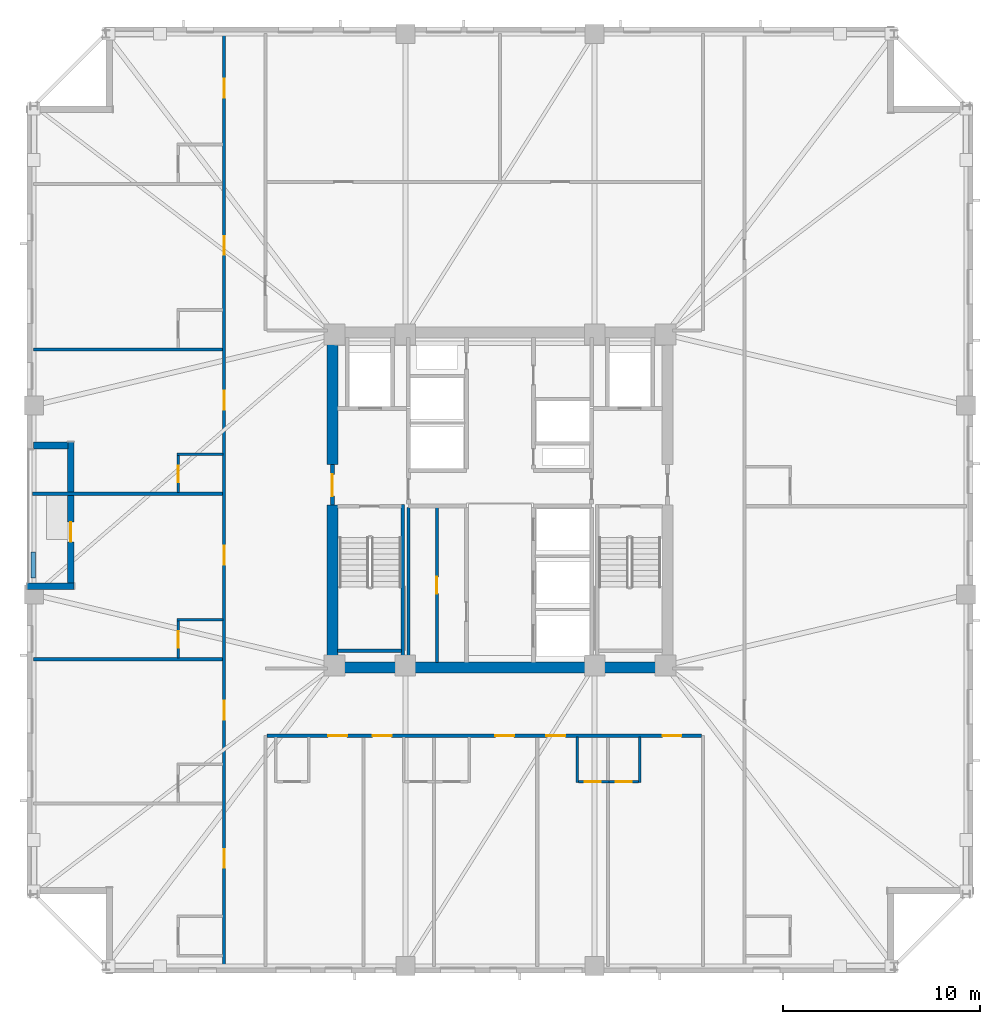
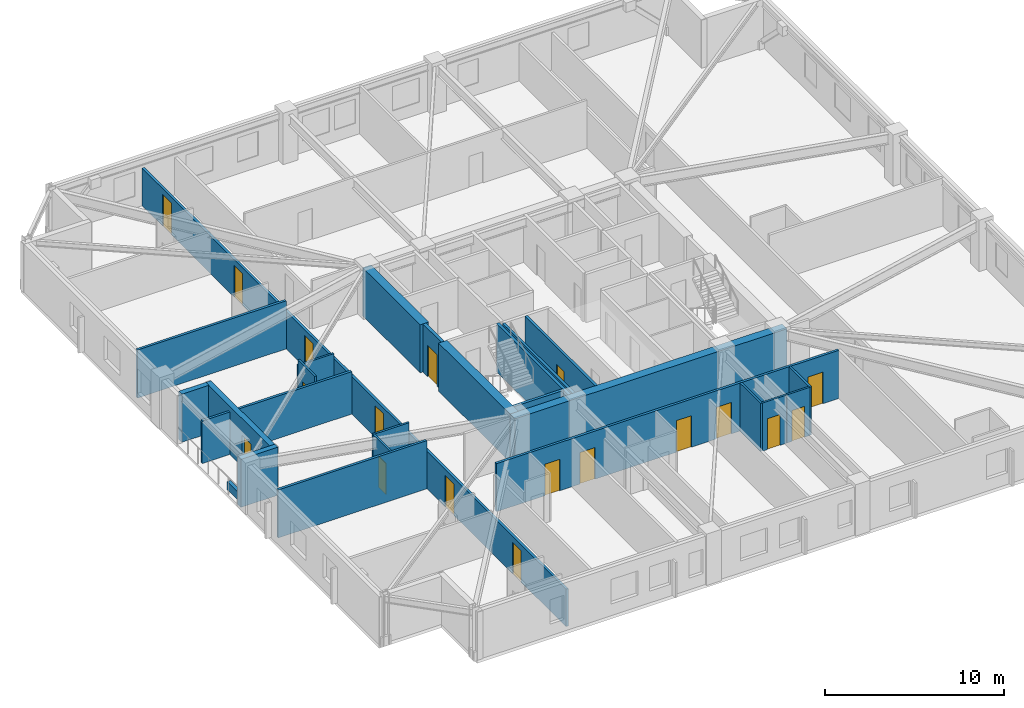
# One storey, part 3 of 11: 25 walls, 18 doors, 18 openings.
"""IFC4 building model written with IfcOpenShell, lengths in metres."""

import ifcopenshell
import ifcopenshell.guid

model = None  # the IFC model being written
_history = None  # IfcOwnerHistory: only IFC2X3 demands one
_inside = {}  # id of a spatial element -> (the spatial element, [elements in it])
_under = {}  # id of a project, library or spatial element -> (it, [spatial elements below it])
_declared = {}  # id of a project -> (the project, [libraries it declares])
_typed = {}  # id of a type object -> (the type object, [elements of that type])
_made_of = {}  # id of a material, layer set ... -> (it, [elements and type objects made of it])


def new_model(schema):
    """Start an empty IFC model of exactly this schema.

    Asked for "IFC4X3", IfcOpenShell would pick the latest addendum, in which some entities
    have other attributes; the version numbers below select the first issue.
    IFC2X3 requires an IfcOwnerHistory on every rooted entity: one is made here for all.
    """
    global model, _history
    if schema == "IFC4X3":
        model = ifcopenshell.file(schema_version=(4, 3, 0, 0))
    else:
        model = ifcopenshell.file(schema=schema)
    _inside.clear()
    _under.clear()
    _declared.clear()
    _typed.clear()
    _made_of.clear()
    _history = None
    if model.schema == "IFC2X3":
        org = make("IfcOrganization", Name="unknown")
        user = make(
            "IfcPersonAndOrganization",
            ThePerson=make("IfcPerson", FamilyName="unknown"),
            TheOrganization=org,
        )
        app = make(
            "IfcApplication",
            ApplicationDeveloper=org,
            Version="unknown",
            ApplicationFullName="unknown",
            ApplicationIdentifier="unknown",
        )
        _history = make(
            "IfcOwnerHistory",
            OwningUser=user,
            OwningApplication=app,
            ChangeAction="ADDED",
            CreationDate=0,
        )
    return model


def make(cls, **values):
    """One entity of the class cls with the attributes given. An attribute that is None is left unset."""
    return model.create_entity(
        cls, **{name: value for name, value in values.items() if value is not None}
    )


def rooted(cls, **values):
    """An entity with a GlobalId (a new one), such as an element, a storey or a relation."""
    return make(cls, GlobalId=ifcopenshell.guid.new(), OwnerHistory=_history, **values)


def si_unit(unit_type, name, prefix=None):
    """IfcSIUnit, for example si_unit("LENGTHUNIT", "METRE", prefix="MILLI")."""
    return make("IfcSIUnit", UnitType=unit_type, Prefix=prefix, Name=name)


def assignment(units):
    """IfcUnitAssignment: the units of a project."""
    return None if units is None else make("IfcUnitAssignment", Units=units)


def point(xyz):
    """IfcCartesianPoint."""
    return None if xyz is None else make("IfcCartesianPoint", Coordinates=xyz)


def direction(xyz):
    """IfcDirection."""
    return None if xyz is None else make("IfcDirection", DirectionRatios=xyz)


def frame(location, z_axis=None, x_axis=None):
    """IfcAxis2Placement3D, a coordinate frame: its origin and axes. An axis left out is left unset."""
    return make(
        "IfcAxis2Placement3D",
        Location=point(location),
        Axis=direction(z_axis),
        RefDirection=direction(x_axis),
    )


def frame_2d(location, x_axis=None):
    """IfcAxis2Placement2D, a coordinate frame in the plane: its origin and x axis."""
    return make(
        "IfcAxis2Placement2D", Location=point(location), RefDirection=direction(x_axis)
    )


def origin():
    """The frame at (0, 0, 0) with its axes left unset."""
    return frame((0.0, 0.0, 0.0))


def place(relative_to, where):
    """IfcLocalPlacement: puts the frame where relative to a parent placement (None: the world)."""
    return make(
        "IfcLocalPlacement", PlacementRelTo=relative_to, RelativePlacement=where
    )


def context(
    kind, dimensions, precision=None, world=None, true_north=None, identifier=None
):
    """IfcGeometricRepresentationContext, for example the 3D "Model" context."""
    return make(
        "IfcGeometricRepresentationContext",
        ContextIdentifier=identifier,
        ContextType=kind,
        CoordinateSpaceDimension=dimensions,
        Precision=precision,
        WorldCoordinateSystem=world,
        TrueNorth=true_north,
    )


def subcontext(parent, identifier, kind, view, scale=None):
    """IfcGeometricRepresentationSubContext, for example "Body" below "Model"."""
    return make(
        "IfcGeometricRepresentationSubContext",
        ContextIdentifier=identifier,
        ContextType=kind,
        ParentContext=parent,
        TargetScale=scale,
        TargetView=view,
    )


def project(units=None, contexts=None):
    """IfcProject with its units and contexts."""
    return rooted(
        "IfcProject",
        Name="project",
        RepresentationContexts=contexts,
        UnitsInContext=assignment(units),
    )


def spatial(cls, under=None, at=None, **own):
    """A site, building, storey or space (cls), placed at a placement, below another one or the project."""
    s = rooted(cls, ObjectPlacement=at, **own)
    if under is not None:
        _under.setdefault(under.id(), (under, []))[1].append(s)
    return s


def profile(cls, at=None, kind="AREA", **sizes):
    """A parametric profile (cls). Its sizes go by their IFC names, for example OverallWidth=200.0."""
    return make(cls, ProfileType=kind, Position=at, **sizes)


def rectangle(**sizes):
    """IfcRectangleProfileDef."""
    return profile("IfcRectangleProfileDef", **sizes)


def extrude(swept, where, along, depth):
    """IfcExtrudedAreaSolid: the profile swept, set in the frame where, extruded along a direction by depth."""
    return make(
        "IfcExtrudedAreaSolid",
        SweptArea=swept,
        Position=where,
        ExtrudedDirection=direction(along),
        Depth=depth,
    )


def shape(context_of_items, identifier, shape_type, items):
    """IfcShapeRepresentation: the items that make up one representation, for example the "Body"."""
    return make(
        "IfcShapeRepresentation",
        ContextOfItems=context_of_items,
        RepresentationIdentifier=identifier,
        RepresentationType=shape_type,
        Items=items,
    )


def material(Name=None, Category=None):
    """IfcMaterial."""
    return make("IfcMaterial", Name=Name, Category=Category)


def layer(
    of_material, thickness, ventilated=None, Name=None, Category=None, Priority=None
):
    """IfcMaterialLayer: one layer of a wall or slab, of a material (None: an air gap)."""
    return make(
        "IfcMaterialLayer",
        Material=of_material,
        LayerThickness=thickness,
        IsVentilated=ventilated,
        Name=Name,
        Category=Category,
        Priority=Priority,
    )


def layer_set(layers, Name=None):
    """IfcMaterialLayerSet."""
    return make("IfcMaterialLayerSet", MaterialLayers=layers, LayerSetName=Name)


def made_of(thing, what):
    """Note that an element or type object is made of a material, layer set ...; save() writes the relation."""
    if what is not None:
        _made_of.setdefault(what.id(), (what, []))[1].append(thing)
    return thing


def type_object(cls, material=None, **own):
    """A type object (cls), such as IfcWallType, which elements share."""
    return made_of(rooted(cls, **own), material)


def element(
    cls,
    number,
    at=None,
    inside=None,
    cuts=None,
    type_object=None,
    material=None,
    context=None,
    identifier="Body",
    shape_type=None,
    held_by="IfcProductDefinitionShape",
    body=None,
    shapes=None,
    **own,
):
    """One element of the class cls, such as IfcWall. Its Tag is "e" and its number.

    at: its placement. inside: the storey or other place that contains it. cuts: it is an
    opening in that element (IfcRelVoidsElement). A single representation is given by context,
    identifier, shape_type and body (its items); several are given by shapes. held_by: the class
    of the entity that holds the representations. save() writes the other relations.
    """
    e = rooted(cls, Tag="e%d" % number, ObjectPlacement=at, **own)
    if body is not None:
        shapes = [shape(context, identifier, shape_type, body)]
    if shapes is not None:
        e.Representation = make(held_by, Representations=shapes)
    if inside is not None:
        _inside.setdefault(inside.id(), (inside, []))[1].append(e)
    if cuts is not None:
        rooted(
            "IfcRelVoidsElement", RelatingBuildingElement=cuts, RelatedOpeningElement=e
        )
    if type_object is not None:
        _typed.setdefault(type_object.id(), (type_object, []))[1].append(e)
    return made_of(e, material)


def fill(opening, filler):
    """IfcRelFillsElement: the door or window that sits in an opening."""
    return rooted(
        "IfcRelFillsElement",
        RelatingOpeningElement=opening,
        RelatedBuildingElement=filler,
    )


def aggregate(whole, parts):
    """IfcRelAggregates: a whole, such as a stair, and the parts it consists of."""
    return rooted("IfcRelAggregates", RelatingObject=whole, RelatedObjects=parts)


def save(model, path):
    """Write the relations noted so far, then the file.

    IfcRelAggregates (storeys below a building ...), IfcRelContainedInSpatialStructure (elements
    in a storey), IfcRelDefinesByType, IfcRelAssociatesMaterial and IfcRelDeclares: one each for
    every whole, place, type object, material and project.
    """
    for whole, parts in _under.values():
        aggregate(whole, parts)
    for where, things in _inside.values():
        rooted(
            "IfcRelContainedInSpatialStructure",
            RelatedElements=things,
            RelatingStructure=where,
        )
    for kind, things in _typed.values():
        rooted("IfcRelDefinesByType", RelatedObjects=things, RelatingType=kind)
    for what, things in _made_of.values():
        rooted("IfcRelAssociatesMaterial", RelatedObjects=things, RelatingMaterial=what)
    for by, libraries in _declared.values():
        rooted("IfcRelDeclares", RelatingContext=by, RelatedDefinitions=libraries)
    model.write(path)


model = new_model("IFC4")

# Units and contexts
model_context = context("Model", 3, precision=1e-05, world=origin(), true_north=direction((0.0, 1.0)))
body_context = subcontext(model_context, "Body", "Model", "MODEL_VIEW")
ifc_project = project(units=[si_unit("LENGTHUNIT", "METRE"), si_unit("AREAUNIT", "SQUARE_METRE"), si_unit("VOLUMEUNIT", "CUBIC_METRE"), si_unit("PLANEANGLEUNIT", "RADIAN"), si_unit("MASSUNIT", "GRAM", prefix="KILO")], contexts=[model_context])

# Site, building, storey
site_placement = place(None, origin())
site = spatial("IfcSite", under=ifc_project, at=site_placement, CompositionType="ELEMENT")
building_placement = place(site_placement, origin())
building = spatial("IfcBuilding", under=site, at=building_placement, Name="Cairnveth Concourse Tower", CompositionType="ELEMENT")
storey_placement = place(building_placement, frame((0.0, 0.0, 120.0)))
storey = spatial("IfcBuildingStorey", under=building, at=storey_placement, Name="L32", CompositionType="ELEMENT", Elevation=120.0)

# Wall
ifc_material_1 = material(Name="Gypsum Plasterboard Partition", Category="gypsum")
ifc_layer_1 = layer(ifc_material_1, 0.159912109375)
ifc_layer_set_1 = layer_set([ifc_layer_1], Name="Gypsum Plasterboard Partition")
wall_type_1 = type_object("IfcWallType", Name="ACOUSTIC PARTY WALL 180", PredefinedType="PARTITIONING", material=ifc_layer_set_1)
wall_1_placement = place(storey_placement, frame((47.35009765625, 30.760009765625, 0.0), z_axis=(0.0, 0.0, 1.0), x_axis=(0.0, 1.0, 0.0)))
element("IfcWall", 1, at=wall_1_placement, inside=storey, type_object=wall_type_1, Name="Interior Wall IW-L32-025", PredefinedType="PARTITIONING", context=body_context, shape_type="SweptSolid", body=[
    extrude(rectangle(XDim=7.85498046875, YDim=0.159912109375, at=frame_2d((3.927490234375, 0.0))), origin(), (0.0, 0.0, 1.0), 3.280029296875),
])

# Wall, opening, door
wall_2_placement = place(storey_placement, frame((48.800048828125, 30.760009765625, 0.0), z_axis=(0.0, 0.0, 1.0), x_axis=(0.0, 1.0, 0.0)))
wall_2 = element("IfcWall", 2, at=wall_2_placement, inside=storey, type_object=wall_type_1, Name="Interior Wall IW-L32-026", PredefinedType="PARTITIONING", context=body_context, shape_type="SweptSolid", body=[
    extrude(rectangle(XDim=7.85498046875, YDim=0.159912109375, at=frame_2d((3.927490234375, 0.0))), origin(), (0.0, 0.0, 1.0), 3.280029296875),
])
opening_1_placement = place(wall_2_placement, frame((3.489990234375, 0.0, 0.0)))
opening_1 = element("IfcOpeningElement", 3, at=opening_1_placement, cuts=wall_2, Name="Opening ID19", PredefinedType="OPENING", context=body_context, shape_type="SweptSolid", body=[
    extrude(rectangle(XDim=0.85009765625, YDim=2.1201171875, at=frame_2d((0.425048828125, 1.06005859375))), frame((0.0, 0.08984375, 0.0), z_axis=(0.0, -1.0, 0.0), x_axis=(1.0, 0.0, 0.0)), (0.0, 0.0, 1.0), 0.179931640625),
])
ifc_material_2 = material(Name="Steel Grade 350", Category="steel")
door_type_1 = type_object("IfcDoorType", Name="CORE SERVICE DOOR 850X2100", OperationType="NOTDEFINED", PredefinedType="DOOR", material=ifc_material_2)
door_1_placement = place(opening_1_placement, origin())
door_1 = element("IfcDoor", 4, at=door_1_placement, inside=storey, type_object=door_type_1, Name="Inner Store Door L32", OperationType="SINGLE_SWING_RIGHT", OverallHeight=2.1201171875, OverallWidth=0.85009765625, PredefinedType="DOOR", context=body_context, shape_type="SweptSolid", body=[
    extrude(rectangle(XDim=0.85009765625, YDim=2.1201171875, at=frame_2d((0.425048828125, 1.06005859375))), frame((0.0, 0.02490234375, 0.0), z_axis=(0.0, -1.0, 0.0), x_axis=(1.0, 0.0, 0.0)), (0.0, 0.0, 1.0), 0.050048828125),
])
fill(opening_1, door_1)

# Wall, openings, doors
wall_3_placement = place(storey_placement, frame((38.0, 15.324951171875, 0.0), z_axis=(0.0, 0.0, 1.0), x_axis=(0.0, 1.0, 0.0)))
wall_3 = element("IfcWall", 5, at=wall_3_placement, inside=storey, type_object=wall_type_1, Name="Interior Wall IW-L32-036", PredefinedType="PARTITIONING", context=body_context, shape_type="SweptSolid", body=[
    extrude(rectangle(XDim=47.35009765625, YDim=0.159912109375, at=frame_2d((23.675048828125, 0.0))), origin(), (0.0, 0.0, 1.0), 2.554931640625),
])
opening_2_placement = place(wall_3_placement, frame((5.00341796875, 0.0, 0.0)))
opening_2 = element("IfcOpeningElement", 6, at=opening_2_placement, cuts=wall_3, Name="Opening ID09", PredefinedType="OPENING", context=body_context, shape_type="SweptSolid", body=[
    extrude(rectangle(XDim=0.9599609375, YDim=2.14990234375, at=frame_2d((0.47998046875, 1.074951171875))), frame((0.0, 0.08984375, 0.0), z_axis=(0.0, -1.0, 0.0), x_axis=(1.0, 0.0, 0.0)), (0.0, 0.0, 1.0), 0.179931640625),
])
opening_3_placement = place(wall_3_placement, frame((12.52880859375, 0.0, 0.0)))
opening_3 = element("IfcOpeningElement", 7, at=opening_3_placement, cuts=wall_3, Name="Opening ID09", PredefinedType="OPENING", context=body_context, shape_type="SweptSolid", body=[
    extrude(rectangle(XDim=0.9599609375, YDim=2.14990234375, at=frame_2d((0.47998046875, 1.074951171875))), frame((0.0, 0.08984375, 0.0), z_axis=(0.0, -1.0, 0.0), x_axis=(1.0, 0.0, 0.0)), (0.0, 0.0, 1.0), 0.179931640625),
])
opening_4_placement = place(wall_3_placement, frame((20.388671875, 0.0, 0.0)))
opening_4 = element("IfcOpeningElement", 8, at=opening_4_placement, cuts=wall_3, Name="Opening ID09", PredefinedType="OPENING", context=body_context, shape_type="SweptSolid", body=[
    extrude(rectangle(XDim=0.9599609375, YDim=2.14990234375, at=frame_2d((0.47998046875, 1.074951171875))), frame((0.0, 0.08984375, 0.0), z_axis=(0.0, -1.0, 0.0), x_axis=(1.0, 0.0, 0.0)), (0.0, 0.0, 1.0), 0.179931640625),
])
opening_5_placement = place(wall_3_placement, frame((28.248779296875, 0.0, 0.0)))
opening_5 = element("IfcOpeningElement", 9, at=opening_5_placement, cuts=wall_3, Name="Opening ID09", PredefinedType="OPENING", context=body_context, shape_type="SweptSolid", body=[
    extrude(rectangle(XDim=0.9599609375, YDim=2.14990234375, at=frame_2d((0.47998046875, 1.074951171875))), frame((0.0, 0.08984375, 0.0), z_axis=(0.0, -1.0, 0.0), x_axis=(1.0, 0.0, 0.0)), (0.0, 0.0, 1.0), 0.179931640625),
])
opening_6_placement = place(wall_3_placement, frame((36.10888671875, 0.0, 0.0)))
opening_6 = element("IfcOpeningElement", 10, at=opening_6_placement, cuts=wall_3, Name="Opening ID09", PredefinedType="OPENING", context=body_context, shape_type="SweptSolid", body=[
    extrude(rectangle(XDim=0.9599609375, YDim=2.14990234375, at=frame_2d((0.47998046875, 1.074951171875))), frame((0.0, 0.08984375, 0.0), z_axis=(0.0, -1.0, 0.0), x_axis=(1.0, 0.0, 0.0)), (0.0, 0.0, 1.0), 0.179931640625),
])
opening_7_placement = place(wall_3_placement, frame((44.07861328125, 0.0, 0.0)))
opening_7 = element("IfcOpeningElement", 11, at=opening_7_placement, cuts=wall_3, Name="Opening ID09", PredefinedType="OPENING", context=body_context, shape_type="SweptSolid", body=[
    extrude(rectangle(XDim=0.9599609375, YDim=2.14990234375, at=frame_2d((0.47998046875, 1.074951171875))), frame((0.0, 0.08984375, 0.0), z_axis=(0.0, -1.0, 0.0), x_axis=(1.0, 0.0, 0.0)), (0.0, 0.0, 1.0), 0.179931640625),
])
ifc_material_3 = material(Name="Solid Core Hardwood Timber Leaf", Category="wood")
door_type_2 = type_object("IfcDoorType", Name="HOTEL ENTRANCE DOOR 960X2150", OperationType="NOTDEFINED", PredefinedType="DOOR", material=ifc_material_3)
door_2_placement = place(opening_2_placement, origin())
door_2 = element("IfcDoor", 12, at=door_2_placement, inside=storey, type_object=door_type_2, Name="Hotel Room Door L32-W1", OperationType="SINGLE_SWING_LEFT", OverallHeight=2.14990234375, OverallWidth=0.9599609375, PredefinedType="DOOR", context=body_context, shape_type="SweptSolid", body=[
    extrude(rectangle(XDim=0.9599609375, YDim=2.14990234375, at=frame_2d((0.47998046875, 1.074951171875))), frame((0.0, 0.02490234375, 0.0), z_axis=(0.0, -1.0, 0.0), x_axis=(1.0, 0.0, 0.0)), (0.0, 0.0, 1.0), 0.050048828125),
])
fill(opening_2, door_2)
door_3_placement = place(opening_3_placement, origin())
door_3 = element("IfcDoor", 13, at=door_3_placement, inside=storey, type_object=door_type_2, Name="Hotel Room Door L32-W2", OperationType="SINGLE_SWING_LEFT", OverallHeight=2.14990234375, OverallWidth=0.9599609375, PredefinedType="DOOR", context=body_context, shape_type="SweptSolid", body=[
    extrude(rectangle(XDim=0.9599609375, YDim=2.14990234375, at=frame_2d((0.47998046875, 1.074951171875))), frame((0.0, 0.02490234375, 0.0), z_axis=(0.0, -1.0, 0.0), x_axis=(1.0, 0.0, 0.0)), (0.0, 0.0, 1.0), 0.050048828125),
])
fill(opening_3, door_3)
door_4_placement = place(opening_4_placement, origin())
door_4 = element("IfcDoor", 14, at=door_4_placement, inside=storey, type_object=door_type_2, Name="Hotel Room Door L32-W3", OperationType="SINGLE_SWING_LEFT", OverallHeight=2.14990234375, OverallWidth=0.9599609375, PredefinedType="DOOR", context=body_context, shape_type="SweptSolid", body=[
    extrude(rectangle(XDim=0.9599609375, YDim=2.14990234375, at=frame_2d((0.47998046875, 1.074951171875))), frame((0.0, 0.02490234375, 0.0), z_axis=(0.0, -1.0, 0.0), x_axis=(1.0, 0.0, 0.0)), (0.0, 0.0, 1.0), 0.050048828125),
])
fill(opening_4, door_4)
door_5_placement = place(opening_5_placement, origin())
door_5 = element("IfcDoor", 15, at=door_5_placement, inside=storey, type_object=door_type_2, Name="Hotel Room Door L32-W4", OperationType="SINGLE_SWING_LEFT", OverallHeight=2.14990234375, OverallWidth=0.9599609375, PredefinedType="DOOR", context=body_context, shape_type="SweptSolid", body=[
    extrude(rectangle(XDim=0.9599609375, YDim=2.14990234375, at=frame_2d((0.47998046875, 1.074951171875))), frame((0.0, 0.02490234375, 0.0), z_axis=(0.0, -1.0, 0.0), x_axis=(1.0, 0.0, 0.0)), (0.0, 0.0, 1.0), 0.050048828125),
])
fill(opening_5, door_5)
door_6_placement = place(opening_6_placement, origin())
door_6 = element("IfcDoor", 16, at=door_6_placement, inside=storey, type_object=door_type_2, Name="Hotel Room Door L32-W5", OperationType="SINGLE_SWING_LEFT", OverallHeight=2.14990234375, OverallWidth=0.9599609375, PredefinedType="DOOR", context=body_context, shape_type="SweptSolid", body=[
    extrude(rectangle(XDim=0.9599609375, YDim=2.14990234375, at=frame_2d((0.47998046875, 1.074951171875))), frame((0.0, 0.02490234375, 0.0), z_axis=(0.0, -1.0, 0.0), x_axis=(1.0, 0.0, 0.0)), (0.0, 0.0, 1.0), 0.050048828125),
])
fill(opening_6, door_6)
door_7_placement = place(opening_7_placement, origin())
door_7 = element("IfcDoor", 17, at=door_7_placement, inside=storey, type_object=door_type_2, Name="Hotel Room Door L32-W6", OperationType="SINGLE_SWING_LEFT", OverallHeight=2.14990234375, OverallWidth=0.9599609375, PredefinedType="DOOR", context=body_context, shape_type="SweptSolid", body=[
    extrude(rectangle(XDim=0.9599609375, YDim=2.14990234375, at=frame_2d((0.47998046875, 1.074951171875))), frame((0.0, 0.02490234375, 0.0), z_axis=(0.0, -1.0, 0.0), x_axis=(1.0, 0.0, 0.0)), (0.0, 0.0, 1.0), 0.050048828125),
])
fill(opening_7, door_7)

wall_4_placement = place(storey_placement, frame((40.1650390625, 27.0400390625, 0.0), z_axis=(0.0, 0.0, 1.0), x_axis=(1.0, 0.0, 0.0)))
wall_4 = element("IfcWall", 18, at=wall_4_placement, inside=storey, type_object=wall_type_1, Name="Interior Wall IW-L32-046", PredefinedType="PARTITIONING", context=body_context, shape_type="SweptSolid", body=[
    extrude(rectangle(XDim=22.070068359375, YDim=0.159912109375, at=frame_2d((11.03515625, 0.0))), origin(), (0.0, 0.0, 1.0), 3.280029296875),
])
opening_8_placement = place(wall_4_placement, frame((3.114990234375, 0.0, 0.0)))
opening_8 = element("IfcOpeningElement", 19, at=opening_8_placement, cuts=wall_4, Name="Opening ID09", PredefinedType="OPENING", context=body_context, shape_type="SweptSolid", body=[
    extrude(rectangle(XDim=0.9599609375, YDim=2.14990234375, at=frame_2d((0.47998046875, 1.074951171875))), frame((0.0, 0.08984375, 0.0), z_axis=(0.0, -1.0, 0.0), x_axis=(1.0, 0.0, 0.0)), (0.0, 0.0, 1.0), 0.179931640625),
])
opening_9_placement = place(wall_4_placement, frame((5.3720703125, 0.0, 0.0)))
opening_9 = element("IfcOpeningElement", 20, at=opening_9_placement, cuts=wall_4, Name="Opening ID09", PredefinedType="OPENING", context=body_context, shape_type="SweptSolid", body=[
    extrude(rectangle(XDim=0.9599609375, YDim=2.14990234375, at=frame_2d((0.47998046875, 1.074951171875))), frame((0.0, 0.08984375, 0.0), z_axis=(0.0, -1.0, 0.0), x_axis=(1.0, 0.0, 0.0)), (0.0, 0.0, 1.0), 0.179931640625),
])
opening_10_placement = place(wall_4_placement, frame((11.594482421875, 0.0, 0.0)))
opening_10 = element("IfcOpeningElement", 21, at=opening_10_placement, cuts=wall_4, Name="Opening ID09", PredefinedType="OPENING", context=body_context, shape_type="SweptSolid", body=[
    extrude(rectangle(XDim=0.9599609375, YDim=2.14990234375, at=frame_2d((0.47998046875, 1.074951171875))), frame((0.0, 0.08984375, 0.0), z_axis=(0.0, -1.0, 0.0), x_axis=(1.0, 0.0, 0.0)), (0.0, 0.0, 1.0), 0.179931640625),
])
opening_11_placement = place(wall_4_placement, frame((14.18798828125, 0.0, 0.0)))
opening_11 = element("IfcOpeningElement", 22, at=opening_11_placement, cuts=wall_4, Name="Opening ID09", PredefinedType="OPENING", context=body_context, shape_type="SweptSolid", body=[
    extrude(rectangle(XDim=0.9599609375, YDim=2.14990234375, at=frame_2d((0.47998046875, 1.074951171875))), frame((0.0, 0.08984375, 0.0), z_axis=(0.0, -1.0, 0.0), x_axis=(1.0, 0.0, 0.0)), (0.0, 0.0, 1.0), 0.179931640625),
])
opening_12_placement = place(wall_4_placement, frame((20.083984375, 0.0, 0.0)))
opening_12 = element("IfcOpeningElement", 23, at=opening_12_placement, cuts=wall_4, Name="Opening ID09", PredefinedType="OPENING", context=body_context, shape_type="SweptSolid", body=[
    extrude(rectangle(XDim=0.9599609375, YDim=2.14990234375, at=frame_2d((0.47998046875, 1.074951171875))), frame((0.0, 0.08984375, 0.0), z_axis=(0.0, -1.0, 0.0), x_axis=(1.0, 0.0, 0.0)), (0.0, 0.0, 1.0), 0.179931640625),
])
door_8_placement = place(opening_8_placement, origin())
door_8 = element("IfcDoor", 24, at=door_8_placement, inside=storey, type_object=door_type_2, Name="Hotel Room Door L32-S1", OperationType="SINGLE_SWING_LEFT", OverallHeight=2.14990234375, OverallWidth=0.9599609375, PredefinedType="DOOR", context=body_context, shape_type="SweptSolid", body=[
    extrude(rectangle(XDim=0.9599609375, YDim=2.14990234375, at=frame_2d((0.47998046875, 1.074951171875))), frame((0.0, 0.02490234375, 0.0), z_axis=(0.0, -1.0, 0.0), x_axis=(1.0, 0.0, 0.0)), (0.0, 0.0, 1.0), 0.050048828125),
])
fill(opening_8, door_8)
door_9_placement = place(opening_9_placement, origin())
door_9 = element("IfcDoor", 25, at=door_9_placement, inside=storey, type_object=door_type_2, Name="Hotel Room Door L32-S2", OperationType="SINGLE_SWING_LEFT", OverallHeight=2.14990234375, OverallWidth=0.9599609375, PredefinedType="DOOR", context=body_context, shape_type="SweptSolid", body=[
    extrude(rectangle(XDim=0.9599609375, YDim=2.14990234375, at=frame_2d((0.47998046875, 1.074951171875))), frame((0.0, 0.02490234375, 0.0), z_axis=(0.0, -1.0, 0.0), x_axis=(1.0, 0.0, 0.0)), (0.0, 0.0, 1.0), 0.050048828125),
])
fill(opening_9, door_9)
door_10_placement = place(opening_10_placement, origin())
door_10 = element("IfcDoor", 26, at=door_10_placement, inside=storey, type_object=door_type_2, Name="Hotel Room Door L32-S3", OperationType="SINGLE_SWING_LEFT", OverallHeight=2.14990234375, OverallWidth=0.9599609375, PredefinedType="DOOR", context=body_context, shape_type="SweptSolid", body=[
    extrude(rectangle(XDim=0.9599609375, YDim=2.14990234375, at=frame_2d((0.47998046875, 1.074951171875))), frame((0.0, 0.02490234375, 0.0), z_axis=(0.0, -1.0, 0.0), x_axis=(1.0, 0.0, 0.0)), (0.0, 0.0, 1.0), 0.050048828125),
])
fill(opening_10, door_10)
door_11_placement = place(opening_11_placement, origin())
door_11 = element("IfcDoor", 27, at=door_11_placement, inside=storey, type_object=door_type_2, Name="Hotel Room Door L32-S4", OperationType="SINGLE_SWING_LEFT", OverallHeight=2.14990234375, OverallWidth=0.9599609375, PredefinedType="DOOR", context=body_context, shape_type="SweptSolid", body=[
    extrude(rectangle(XDim=0.9599609375, YDim=2.14990234375, at=frame_2d((0.47998046875, 1.074951171875))), frame((0.0, 0.02490234375, 0.0), z_axis=(0.0, -1.0, 0.0), x_axis=(1.0, 0.0, 0.0)), (0.0, 0.0, 1.0), 0.050048828125),
])
fill(opening_11, door_11)
door_12_placement = place(opening_12_placement, origin())
door_12 = element("IfcDoor", 28, at=door_12_placement, inside=storey, type_object=door_type_2, Name="Hotel Room Door L32-S5", OperationType="SINGLE_SWING_LEFT", OverallHeight=2.14990234375, OverallWidth=0.9599609375, PredefinedType="DOOR", context=body_context, shape_type="SweptSolid", body=[
    extrude(rectangle(XDim=0.9599609375, YDim=2.14990234375, at=frame_2d((0.47998046875, 1.074951171875))), frame((0.0, 0.02490234375, 0.0), z_axis=(0.0, -1.0, 0.0), x_axis=(1.0, 0.0, 0.0)), (0.0, 0.0, 1.0), 0.050048828125),
])
fill(opening_12, door_12)

# Walls
wall_5_placement = place(storey_placement, frame((28.324951171875, 30.920654296875, 0.0), z_axis=(0.0, 0.0, 1.0), x_axis=(1.0, 0.0, 0.0)))
element("IfcWall", 29, at=wall_5_placement, inside=storey, type_object=wall_type_1, Name="Interior Wall IW-L32-070", PredefinedType="PARTITIONING", context=body_context, shape_type="SweptSolid", body=[
    extrude(rectangle(XDim=9.594970703125, YDim=0.159912109375, at=frame_2d((4.79736328125, 0.0))), origin(), (0.0, 0.0, 1.0), 3.280029296875),
])
wall_6_placement = place(storey_placement, frame((28.27001953125, 39.31689453125, 0.0), z_axis=(0.0, 0.0, 1.0), x_axis=(1.0, 0.0, 0.0)))
element("IfcWall", 30, at=wall_6_placement, inside=storey, type_object=wall_type_1, Name="Interior Wall IW-L32-073", PredefinedType="PARTITIONING", context=body_context, shape_type="SweptSolid", body=[
    extrude(rectangle(XDim=9.64990234375, YDim=0.159912109375, at=frame_2d((4.824951171875, 0.0))), origin(), (0.0, 0.0, 1.0), 2.89599609375),
])
wall_7_placement = place(storey_placement, frame((28.324951171875, 46.640625, 0.0), z_axis=(0.0, 0.0, 1.0), x_axis=(1.0, 0.0, 0.0)))
element("IfcWall", 31, at=wall_7_placement, inside=storey, type_object=wall_type_1, Name="Interior Wall IW-L32-076", PredefinedType="PARTITIONING", context=body_context, shape_type="SweptSolid", body=[
    extrude(rectangle(XDim=9.594970703125, YDim=0.159912109375, at=frame_2d((4.79736328125, 0.0))), origin(), (0.0, 0.0, 1.0), 3.280029296875),
])
ifc_material_4 = material(Name="Concrete N80 (80 MPa)", Category="concrete")
ifc_layer_2 = layer(ifc_material_4, 0.550048828125)
ifc_layer_set_2 = layer_set([ifc_layer_2], Name="Concrete N80 (80 MPa)")
wall_type_2 = type_object("IfcWallType", Name="CORE SHEAR WALL 550", PredefinedType="SHEAR", material=ifc_layer_set_2)
wall_8_placement = place(storey_placement, frame((43.22509765625, 30.5, 0.0), z_axis=(0.0, 0.0, 1.0), x_axis=(1.0, 0.0, 0.0)))
element("IfcWall", 32, at=wall_8_placement, inside=storey, type_object=wall_type_2, Name="Core South Shear Wall L32", PredefinedType="SHEAR", context=body_context, shape_type="SweptSolid", body=[
    extrude(rectangle(XDim=17.5498046875, YDim=0.550048828125, at=frame_2d((8.77490234375, 0.0))), origin(), (0.0, 0.0, 1.0), 3.280029296875),
])
wall_9_placement = place(storey_placement, frame((43.5, 30.764892578125, 0.0), z_axis=(0.0, 0.0, 1.0), x_axis=(0.0, 1.0, 0.0)))
element("IfcWall", 33, at=wall_9_placement, inside=storey, type_object=wall_type_2, Name="Core West Shear Wall S L32", PredefinedType="SHEAR", context=body_context, shape_type="SweptSolid", body=[
    extrude(rectangle(XDim=7.985107421875, YDim=0.550048828125, at=frame_2d((3.99267578125, 0.0))), origin(), (0.0, 0.0, 1.0), 3.280029296875),
])
wall_10_placement = place(storey_placement, frame((43.5, 40.800048828125, 0.0), z_axis=(0.0, 0.0, 1.0), x_axis=(0.0, 1.0, 0.0)))
element("IfcWall", 34, at=wall_10_placement, inside=storey, type_object=wall_type_2, Name="Core West Shear Wall N L32", PredefinedType="SHEAR", context=body_context, shape_type="SweptSolid", body=[
    extrude(rectangle(XDim=6.43505859375, YDim=0.550048828125, at=frame_2d((3.217529296875, 0.0))), origin(), (0.0, 0.0, 1.0), 3.280029296875),
])
ifc_material_5 = material(Name="Concrete N50 (50 MPa)", Category="concrete")
ifc_layer_3 = layer(ifc_material_5, 0.179931640625)
ifc_layer_set_3 = layer_set([ifc_layer_3], Name="Concrete N50 (50 MPa)")
wall_type_3 = type_object("IfcWallType", Name="FIRE SHAFT WALL 180", PredefinedType="SOLIDWALL", material=ifc_layer_set_3)
wall_11_placement = place(storey_placement, frame((43.764892578125, 31.360107421875, 0.0), z_axis=(0.0, 0.0, 1.0), x_axis=(1.0, 0.0, 0.0)))
element("IfcWall", 35, at=wall_11_placement, inside=storey, type_object=wall_type_3, Name="Stair ST-1 Shaft Wall FAR L32", PredefinedType="SOLIDWALL", context=body_context, shape_type="SweptSolid", body=[
    extrude(rectangle(XDim=3.230224609375, YDim=0.179931640625, at=frame_2d((1.615234375, 0.0))), origin(), (0.0, 0.0, 1.0), 3.280029296875),
])
wall_12_placement = place(storey_placement, frame((47.070068359375, 38.780029296875, 0.0), z_axis=(0.0, 0.0, 1.0), x_axis=(0.0, -1.0, 0.0)))
element("IfcWall", 36, at=wall_12_placement, inside=storey, type_object=wall_type_3, Name="Stair ST-1 Shaft Wall RGHT L32", PredefinedType="SOLIDWALL", context=body_context, shape_type="SweptSolid", body=[
    extrude(rectangle(XDim=8.01708984375, YDim=0.179931640625, at=frame_2d((4.008544921875, 0.0))), origin(), (0.0, 0.0, 1.0), 3.280029296875),
])

# Wall, opening, door
ifc_layer_4 = layer(ifc_material_5, 0.199951171875)
ifc_layer_set_4 = layer_set([ifc_layer_4], Name="Concrete N50 (50 MPa)")
wall_type_4 = type_object("IfcWallType", Name="FIRE SHAFT WALL 200", PredefinedType="SOLIDWALL", material=ifc_layer_set_4)
wall_13_placement = place(storey_placement, frame((43.5, 38.75, 0.0), z_axis=(0.0, 0.0, 1.0), x_axis=(0.0, 1.0, 0.0)))
wall_13 = element("IfcWall", 37, at=wall_13_placement, inside=storey, type_object=wall_type_4, Name="Interior Wall IW-L32-015", PredefinedType="SOLIDWALL", context=body_context, shape_type="SweptSolid", body=[
    extrude(rectangle(XDim=2.050048828125, YDim=0.199951171875, at=frame_2d((1.02490234375, 0.0))), origin(), (0.0, 0.0, 1.0), 3.280029296875),
])
opening_13_placement = place(wall_13_placement, frame((0.449951171875, 0.0, 0.0)))
opening_13 = element("IfcOpeningElement", 38, at=opening_13_placement, cuts=wall_13, Name="Opening ID06", PredefinedType="OPENING", context=body_context, shape_type="SweptSolid", body=[
    extrude(rectangle(XDim=1.10009765625, YDim=2.14990234375, at=frame_2d((0.550048828125, 1.074951171875))), frame((0.0, 0.10986328125, 0.0), z_axis=(0.0, -1.0, 0.0), x_axis=(1.0, 0.0, 0.0)), (0.0, 0.0, 1.0), 0.219970703125),
])
door_type_3 = type_object("IfcDoorType", Name="FIRE CORRIDOR DOOR 1100X2150", OperationType="NOTDEFINED", PredefinedType="DOOR", material=ifc_material_2)
door_13_placement = place(opening_13_placement, origin())
door_13 = element("IfcDoor", 39, at=door_13_placement, inside=storey, type_object=door_type_3, Name="West Wing to FF Lobby Door L32", OperationType="SINGLE_SWING_LEFT", OverallHeight=2.14990234375, OverallWidth=1.10009765625, PredefinedType="DOOR", context=body_context, shape_type="SweptSolid", body=[
    extrude(rectangle(XDim=1.10009765625, YDim=2.14990234375, at=frame_2d((0.550048828125, 1.074951171875))), frame((0.0, 0.02490234375, 0.0), z_axis=(0.0, -1.0, 0.0), x_axis=(1.0, 0.0, 0.0)), (0.0, 0.0, 1.0), 0.050048828125),
])
fill(opening_13, door_13)

# Walls
ifc_material_6 = material(Name="Dressed Melbourne Bluestone Cladding", Category="masonry")
ifc_layer_5 = layer(ifc_material_6, 0.219970703125)
ifc_layer_set_5 = layer_set([ifc_layer_5], Name="Dressed Melbourne Bluestone Cladding")
wall_type_5 = type_object("IfcWallType", Name="TERRACE PLANTER CURB WALL 220", PredefinedType="PARAPET", material=ifc_layer_set_5)
wall_14_placement = place(storey_placement, frame((28.320068359375, 35.050048828125, 0.0), z_axis=(0.0, 0.0, 1.0), x_axis=(0.0, 1.0, 0.0)))
element("IfcWall", 40, at=wall_14_placement, inside=storey, type_object=wall_type_5, Name="Exterior Wall PLNT-L32-TERR", PredefinedType="PARAPET", context=body_context, shape_type="SweptSolid", body=[
    extrude(rectangle(XDim=1.300048828125, YDim=0.219970703125, at=frame_2d((0.64990234375, 0.0))), origin(), (0.0, 0.0, 1.0), 0.550048828125),
])
ifc_layer_6 = layer(ifc_material_1, 0.1298828125)
ifc_layer_set_6 = layer_set([ifc_layer_6], Name="Gypsum Plasterboard Partition")
wall_type_6 = type_object("IfcWallType", Name="WET AREA PARTITION 140", PredefinedType="PLUMBINGWALL", material=ifc_layer_set_6)
wall_15_placement = place(storey_placement, frame((55.924560546875, 24.659912109375, 0.0), z_axis=(0.0, 0.0, 1.0), x_axis=(0.0, 1.0, 0.0)))
element("IfcWall", 41, at=wall_15_placement, inside=storey, type_object=wall_type_6, Name="Interior Wall IW-L32-059", PredefinedType="PLUMBINGWALL", context=body_context, shape_type="SweptSolid", body=[
    extrude(rectangle(XDim=2.315185546875, YDim=0.1298828125, at=frame_2d((1.15771484375, 0.0))), origin(), (0.0, 0.0, 1.0), 3.280029296875),
])

# Wall, opening, door
wall_16_placement = place(storey_placement, frame((55.974609375, 24.7099609375, 0.0), z_axis=(0.0, 0.0, 1.0), x_axis=(1.0, 0.0, 0.0)))
wall_16 = element("IfcWall", 42, at=wall_16_placement, inside=storey, type_object=wall_type_6, Name="Interior Wall IW-L32-060", PredefinedType="PLUMBINGWALL", context=body_context, shape_type="SweptSolid", body=[
    extrude(rectangle(XDim=1.5498046875, YDim=0.1298828125, at=frame_2d((0.77490234375, 0.0))), origin(), (0.0, 0.0, 1.0), 3.280029296875),
])
opening_14_placement = place(wall_16_placement, frame((0.31494140625, 0.0, 0.0)))
opening_14 = element("IfcOpeningElement", 43, at=opening_14_placement, cuts=wall_16, Name="Opening ID22", PredefinedType="OPENING", context=body_context, shape_type="SweptSolid", body=[
    extrude(rectangle(XDim=0.820068359375, YDim=2.10009765625, at=frame_2d((0.41015625, 1.050048828125))), frame((0.0, 0.074951171875, 0.0), z_axis=(0.0, -1.0, 0.0), x_axis=(1.0, 0.0, 0.0)), (0.0, 0.0, 1.0), 0.14990234375),
])
door_type_4 = type_object("IfcDoorType", Name="INTERIOR WC DOOR 820X2100", OperationType="NOTDEFINED", PredefinedType="DOOR", material=ifc_material_3)
door_14_placement = place(opening_14_placement, origin())
door_14 = element("IfcDoor", 44, at=door_14_placement, inside=storey, type_object=door_type_4, Name="En-Suite Door L32-S4", OperationType="SINGLE_SWING_RIGHT", OverallHeight=2.10009765625, OverallWidth=0.820068359375, PredefinedType="DOOR", context=body_context, shape_type="SweptSolid", body=[
    extrude(rectangle(XDim=0.820068359375, YDim=2.10009765625, at=frame_2d((0.41015625, 1.050048828125))), frame((0.0, 0.02490234375, 0.0), z_axis=(0.0, -1.0, 0.0), x_axis=(1.0, 0.0, 0.0)), (0.0, 0.0, 1.0), 0.050048828125),
])
fill(opening_14, door_14)

# Wall
wall_17_placement = place(storey_placement, frame((59.087890625, 24.659912109375, 0.0), z_axis=(0.0, 0.0, 1.0), x_axis=(0.0, 1.0, 0.0)))
element("IfcWall", 45, at=wall_17_placement, inside=storey, type_object=wall_type_6, Name="Interior Wall IW-L32-062", PredefinedType="PLUMBINGWALL", context=body_context, shape_type="SweptSolid", body=[
    extrude(rectangle(XDim=2.315185546875, YDim=0.1298828125, at=frame_2d((1.15771484375, 0.0))), origin(), (0.0, 0.0, 1.0), 3.280029296875),
])

# Wall, opening, door
wall_18_placement = place(storey_placement, frame((57.53955078125, 24.7099609375, 0.0), z_axis=(0.0, 0.0, 1.0), x_axis=(1.0, 0.0, 0.0)))
wall_18 = element("IfcWall", 46, at=wall_18_placement, inside=storey, type_object=wall_type_6, Name="Interior Wall IW-L32-063", PredefinedType="PLUMBINGWALL", context=body_context, shape_type="SweptSolid", body=[
    extrude(rectangle(XDim=1.49853515625, YDim=0.1298828125, at=frame_2d((0.749267578125, 0.0))), origin(), (0.0, 0.0, 1.0), 3.280029296875),
])
opening_15_placement = place(wall_18_placement, frame((0.331787109375, 0.0, 0.0)))
opening_15 = element("IfcOpeningElement", 47, at=opening_15_placement, cuts=wall_18, Name="Opening ID22", PredefinedType="OPENING", context=body_context, shape_type="SweptSolid", body=[
    extrude(rectangle(XDim=0.820068359375, YDim=2.10009765625, at=frame_2d((0.41015625, 1.050048828125))), frame((0.0, 0.074951171875, 0.0), z_axis=(0.0, -1.0, 0.0), x_axis=(1.0, 0.0, 0.0)), (0.0, 0.0, 1.0), 0.14990234375),
])
door_15_placement = place(opening_15_placement, origin())
door_15 = element("IfcDoor", 48, at=door_15_placement, inside=storey, type_object=door_type_4, Name="En-Suite Door L32-S5", OperationType="SINGLE_SWING_RIGHT", OverallHeight=2.10009765625, OverallWidth=0.820068359375, PredefinedType="DOOR", context=body_context, shape_type="SweptSolid", body=[
    extrude(rectangle(XDim=0.820068359375, YDim=2.10009765625, at=frame_2d((0.41015625, 1.050048828125))), frame((0.0, 0.02490234375, 0.0), z_axis=(0.0, -1.0, 0.0), x_axis=(1.0, 0.0, 0.0)), (0.0, 0.0, 1.0), 0.050048828125),
])
fill(opening_15, door_15)

# Wall
wall_19_placement = place(storey_placement, frame((35.6201171875, 32.920654296875, 0.0), z_axis=(0.0, 0.0, 1.0), x_axis=(1.0, 0.0, 0.0)))
element("IfcWall", 49, at=wall_19_placement, inside=storey, type_object=wall_type_6, Name="Interior Wall IW-L32-071", PredefinedType="PLUMBINGWALL", context=body_context, shape_type="SweptSolid", body=[
    extrude(rectangle(XDim=2.31494140625, YDim=0.1298828125, at=frame_2d((1.157470703125, 0.0))), origin(), (0.0, 0.0, 1.0), 3.280029296875),
])

# Wall, opening, door
wall_20_placement = place(storey_placement, frame((35.669921875, 30.985595703125, 0.0), z_axis=(0.0, 0.0, 1.0), x_axis=(0.0, 1.0, 0.0)))
wall_20 = element("IfcWall", 50, at=wall_20_placement, inside=storey, type_object=wall_type_6, Name="Interior Wall IW-L32-072", PredefinedType="PLUMBINGWALL", context=body_context, shape_type="SweptSolid", body=[
    extrude(rectangle(XDim=1.885009765625, YDim=0.1298828125, at=frame_2d((0.9423828125, 0.0))), origin(), (0.0, 0.0, 1.0), 3.280029296875),
])
opening_16_placement = place(wall_20_placement, frame((0.52490234375, 0.0, 0.0)))
opening_16 = element("IfcOpeningElement", 51, at=opening_16_placement, cuts=wall_20, Name="Opening ID22", PredefinedType="OPENING", context=body_context, shape_type="SweptSolid", body=[
    extrude(rectangle(XDim=0.820068359375, YDim=2.10009765625, at=frame_2d((0.41015625, 1.050048828125))), frame((0.0, 0.074951171875, 0.0), z_axis=(0.0, -1.0, 0.0), x_axis=(1.0, 0.0, 0.0)), (0.0, 0.0, 1.0), 0.14990234375),
])
door_16_placement = place(opening_16_placement, origin())
door_16 = element("IfcDoor", 52, at=door_16_placement, inside=storey, type_object=door_type_4, Name="En-Suite Door L32-W3", OperationType="SINGLE_SWING_RIGHT", OverallHeight=2.10009765625, OverallWidth=0.820068359375, PredefinedType="DOOR", context=body_context, shape_type="SweptSolid", body=[
    extrude(rectangle(XDim=0.820068359375, YDim=2.10009765625, at=frame_2d((0.41015625, 1.050048828125))), frame((0.0, 0.02490234375, 0.0), z_axis=(0.0, -1.0, 0.0), x_axis=(1.0, 0.0, 0.0)), (0.0, 0.0, 1.0), 0.050048828125),
])
fill(opening_16, door_16)

# Wall
wall_21_placement = place(storey_placement, frame((35.6201171875, 41.31689453125, 0.0), z_axis=(0.0, 0.0, 1.0), x_axis=(1.0, 0.0, 0.0)))
element("IfcWall", 53, at=wall_21_placement, inside=storey, type_object=wall_type_6, Name="Interior Wall IW-L32-074", PredefinedType="PLUMBINGWALL", context=body_context, shape_type="SweptSolid", body=[
    extrude(rectangle(XDim=2.31494140625, YDim=0.1298828125, at=frame_2d((1.157470703125, 0.0))), origin(), (0.0, 0.0, 1.0), 2.89599609375),
])

# Wall, opening, door
wall_22_placement = place(storey_placement, frame((35.669921875, 39.3818359375, 0.0), z_axis=(0.0, 0.0, 1.0), x_axis=(0.0, 1.0, 0.0)))
wall_22 = element("IfcWall", 54, at=wall_22_placement, inside=storey, type_object=wall_type_6, Name="Interior Wall IW-L32-075", PredefinedType="PLUMBINGWALL", context=body_context, shape_type="SweptSolid", body=[
    extrude(rectangle(XDim=1.885009765625, YDim=0.1298828125, at=frame_2d((0.9423828125, 0.0))), origin(), (0.0, 0.0, 1.0), 3.280029296875),
])
opening_17_placement = place(wall_22_placement, frame((0.52490234375, 0.0, 0.0)))
opening_17 = element("IfcOpeningElement", 55, at=opening_17_placement, cuts=wall_22, Name="Opening ID22", PredefinedType="OPENING", context=body_context, shape_type="SweptSolid", body=[
    extrude(rectangle(XDim=0.820068359375, YDim=2.10009765625, at=frame_2d((0.41015625, 1.050048828125))), frame((0.0, 0.074951171875, 0.0), z_axis=(0.0, -1.0, 0.0), x_axis=(1.0, 0.0, 0.0)), (0.0, 0.0, 1.0), 0.14990234375),
])
door_17_placement = place(opening_17_placement, origin())
door_17 = element("IfcDoor", 56, at=door_17_placement, inside=storey, type_object=door_type_4, Name="En-Suite Door L32-W4", OperationType="SINGLE_SWING_RIGHT", OverallHeight=2.10009765625, OverallWidth=0.820068359375, PredefinedType="DOOR", context=body_context, shape_type="SweptSolid", body=[
    extrude(rectangle(XDim=0.820068359375, YDim=2.10009765625, at=frame_2d((0.41015625, 1.050048828125))), frame((0.0, 0.02490234375, 0.0), z_axis=(0.0, -1.0, 0.0), x_axis=(1.0, 0.0, 0.0)), (0.0, 0.0, 1.0), 0.050048828125),
])
fill(opening_17, door_17)

# Wall
ifc_material_7 = material(Name="Hawthorn Red-Ochre Fired Clay Brick Masonry", Category="masonry")
ifc_layer_7 = layer(ifc_material_7, 0.340087890625)
ifc_layer_set_7 = layer_set([ifc_layer_7], Name="Hawthorn Red-Ochre Fired Clay Brick Masonry")
wall_type_7 = type_object("IfcWallType", Name="ZONE 2 BRICK PIER SPANDREL WALL 340", PredefinedType="SOLIDWALL", material=ifc_layer_set_7)
wall_23_placement = place(storey_placement, frame((28.0, 34.6298828125, 0.0), z_axis=(0.0, 0.0, 1.0), x_axis=(1.0, 0.0, 0.0)))
element("IfcWall", 57, at=wall_23_placement, inside=storey, type_object=wall_type_7, Name="Exterior Wall EW-L32-S13", PredefinedType="SOLIDWALL", context=body_context, shape_type="SweptSolid", body=[
    extrude(rectangle(XDim=2.389892578125, YDim=0.340087890625, at=frame_2d((1.19482421875, 0.0))), origin(), (0.0, 0.0, 1.0), 3.280029296875),
])

# Wall, opening, door
wall_24_placement = place(storey_placement, frame((30.219970703125, 34.778076171875, 0.0), z_axis=(0.0, 0.0, 1.0), x_axis=(0.0, 1.0, 0.0)))
wall_24 = element("IfcWall", 58, at=wall_24_placement, inside=storey, type_object=wall_type_7, Name="Exterior Wall EW-L32-S14", PredefinedType="SOLIDWALL", context=body_context, shape_type="SweptSolid", body=[
    extrude(rectangle(XDim=7.161865234375, YDim=0.340087890625, at=frame_2d((3.5810546875, 0.0))), origin(), (0.0, 0.0, 1.0), 3.280029296875),
])
opening_18_placement = place(wall_24_placement, frame((2.094482421875, 0.0, 0.0)))
opening_18 = element("IfcOpeningElement", 59, at=opening_18_placement, cuts=wall_24, Name="Opening ED4", PredefinedType="OPENING", context=body_context, shape_type="SweptSolid", body=[
    extrude(rectangle(XDim=1.0, YDim=2.14990234375, at=frame_2d((0.5, 1.074951171875))), frame((0.0, 0.179931640625, 0.0), z_axis=(0.0, -1.0, 0.0), x_axis=(1.0, 0.0, 0.0)), (0.0, 0.0, 1.0), 0.360107421875),
])
ifc_material_8 = material(Name="Architectural Bronze Anodised Aluminium 6063-T6", Category="aluminium")
door_type_5 = type_object("IfcDoorType", Name="TERRACE GLAZED DOOR 1000X2150", OperationType="NOTDEFINED", PredefinedType="DOOR", material=ifc_material_8)
door_18_placement = place(opening_18_placement, origin())
door_18 = element("IfcDoor", 60, at=door_18_placement, inside=storey, type_object=door_type_5, Name="Spiral Terrace Door L32", OperationType="SINGLE_SWING_LEFT", OverallHeight=2.14990234375, OverallWidth=1.0, PredefinedType="DOOR", context=body_context, shape_type="SweptSolid", body=[
    extrude(rectangle(XDim=1.0, YDim=2.14990234375, at=frame_2d((0.5, 1.074951171875))), frame((0.0, 0.02490234375, 0.0), z_axis=(0.0, -1.0, 0.0), x_axis=(1.0, 0.0, 0.0)), (0.0, 0.0, 1.0), 0.050048828125),
])
fill(opening_18, door_18)

# Wall
wall_25_placement = place(storey_placement, frame((30.072021484375, 41.77001953125, 0.0), z_axis=(0.0, 0.0, 1.0), x_axis=(-1.0, 0.0, 0.0)))
element("IfcWall", 61, at=wall_25_placement, inside=storey, type_object=wall_type_7, Name="Exterior Wall EW-L32-S15", PredefinedType="SOLIDWALL", context=body_context, shape_type="SweptSolid", body=[
    extrude(rectangle(XDim=1.75390625, YDim=0.340087890625, at=frame_2d((0.876953125, 0.0))), origin(), (0.0, 0.0, 1.0), 3.280029296875),
])

save(model, "model.ifc")
